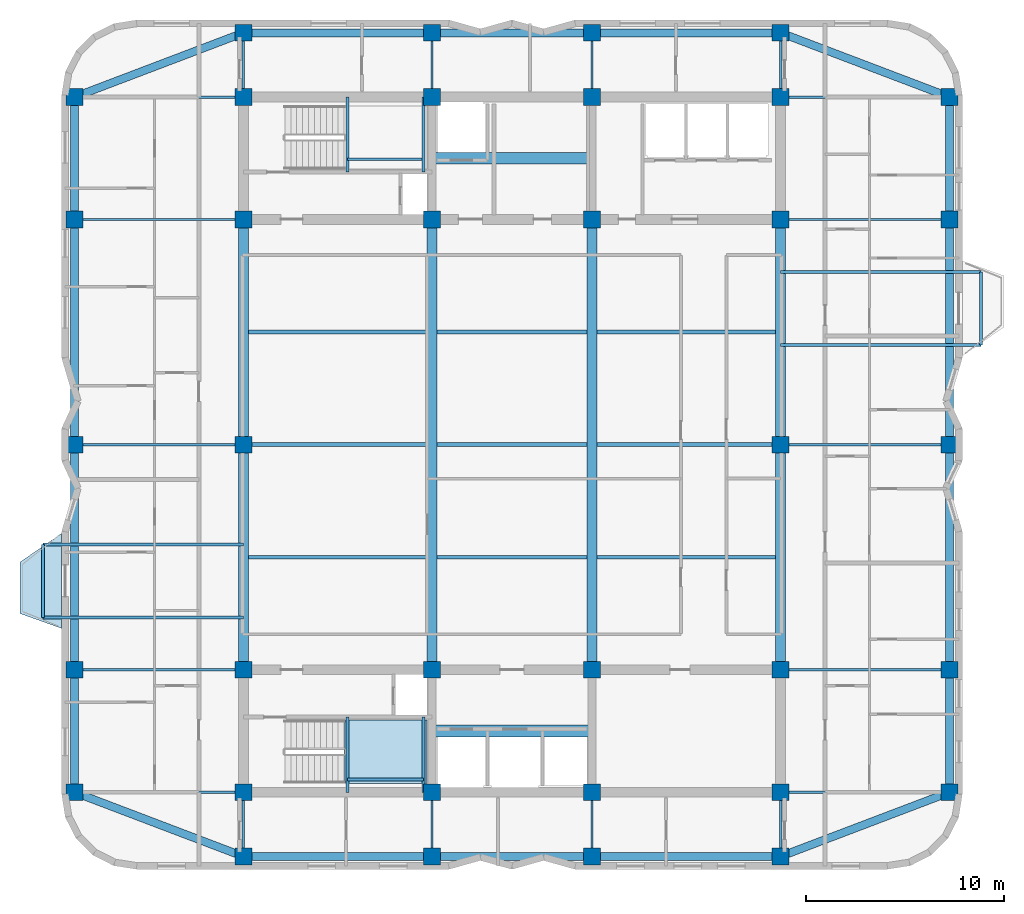
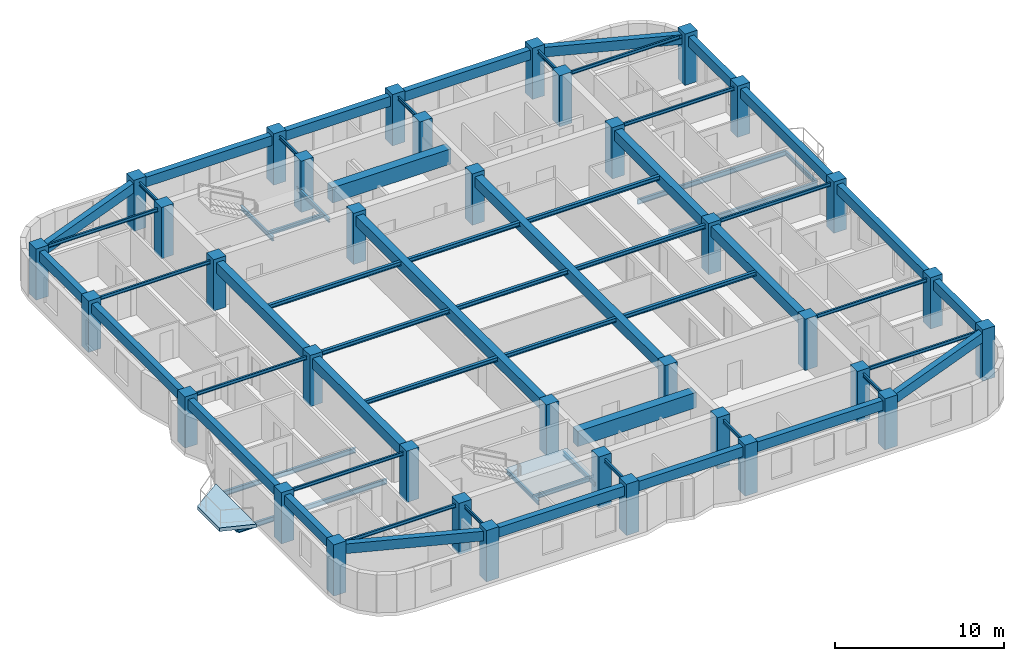
# One storey, part 1 of 9: 65 beams, 36 columns, 2 slabs, 1 element without a shape of its own.
"""IFC4 building model written with IfcOpenShell, lengths in metres."""

from ifc_helpers import new_model, si_unit, direction, frame, origin, origin_2d, place, context, subcontext, project, spatial, polyline, rectangle, i_section, outline, extrude, material, layer, layer_set, material_profile, profile_set, type_object, element, aggregate, save


model = new_model("IFC4")

# Units and contexts
model_context = context("Model", 3, precision=1e-05, world=origin(), true_north=direction((0.0, 1.0)))
body_context = subcontext(model_context, "Body", "Model", "MODEL_VIEW")
ifc_project = project(units=[si_unit("LENGTHUNIT", "METRE"), si_unit("AREAUNIT", "SQUARE_METRE"), si_unit("VOLUMEUNIT", "CUBIC_METRE"), si_unit("PLANEANGLEUNIT", "RADIAN"), si_unit("MASSUNIT", "GRAM", prefix="KILO")], contexts=[model_context])

# Site, building, storey
site_placement = place(None, origin())
site = spatial("IfcSite", under=ifc_project, at=site_placement, CompositionType="ELEMENT")
building_placement = place(site_placement, origin())
building = spatial("IfcBuilding", under=site, at=building_placement, Name="Svetorya Sky Lyceum", CompositionType="ELEMENT")
storey_placement = place(building_placement, frame((0.0, 0.0, 211.0)))
storey = spatial("IfcBuildingStorey", under=building, at=storey_placement, Name="L52", CompositionType="ELEMENT", Elevation=211.0)

# Columns
ifc_material_1 = material(Name="Concrete C50/60", Category="concrete")
ifc_material_profile_1 = material_profile(ifc_material_1, rectangle(XDim=0.85009765625, YDim=0.85009765625, at=origin_2d()), Name="RC COL 850x850")
ifc_profile_set_1 = profile_set([ifc_material_profile_1], Name="Concrete C50/60")
column_type = type_object("IfcColumnType", Name="COL-RC-850", PredefinedType="COLUMN", material=ifc_profile_set_1)
for number, where, z_axis, x_axis, name in (
    (1, (25.60009765625, 10.60009765625, 0.0), (0.0, 0.0, 1.0), (1.0, 0.0, 0.0), "L52 Core Column CS-11"),
    (2, (25.60009765625, 16.800048828125, 0.0), (0.0, 0.0, 1.0), (1.0, 0.0, 0.0), "L52 Core Column CS-12"),
    (3, (35.14990234375, 10.60009765625, 0.0), (0.0, 0.0, 1.0), (1.0, 0.0, 0.0), "L52 Core Column CS-21"),
    (4, (35.14990234375, 16.800048828125, 0.0), (0.0, 0.0, 1.0), (1.0, 0.0, 0.0), "L52 Core Column CS-22"),
    (5, (43.25, 10.60009765625, 0.0), (0.0, 0.0, 1.0), (1.0, 0.0, 0.0), "L52 Core Column CS-31"),
    (6, (43.25, 16.800048828125, 0.0), (0.0, 0.0, 1.0), (1.0, 0.0, 0.0), "L52 Core Column CS-32"),
    (7, (52.800048828125, 10.60009765625, 0.0), (0.0, 0.0, 1.0), (1.0, 0.0, 0.0), "L52 Core Column CS-41"),
    (8, (52.800048828125, 16.800048828125, 0.0), (0.0, 0.0, 1.0), (1.0, 0.0, 0.0), "L52 Core Column CS-42"),
    (9, (25.60009765625, 39.60009765625, 0.0), (0.0, 0.0, 1.0), (1.0, 0.0, 0.0), "L52 Core Column CN-11"),
    (10, (25.60009765625, 45.800048828125, 0.0), (0.0, 0.0, 1.0), (1.0, 0.0, 0.0), "L52 Core Column CN-12"),
    (11, (35.14990234375, 39.60009765625, 0.0), (0.0, 0.0, 1.0), (1.0, 0.0, 0.0), "L52 Core Column CN-21"),
    (12, (35.14990234375, 45.800048828125, 0.0), (0.0, 0.0, 1.0), (1.0, 0.0, 0.0), "L52 Core Column CN-22"),
    (13, (43.25, 39.60009765625, 0.0), (0.0, 0.0, 1.0), (1.0, 0.0, 0.0), "L52 Core Column CN-31"),
    (14, (43.25, 45.800048828125, 0.0), (0.0, 0.0, 1.0), (1.0, 0.0, 0.0), "L52 Core Column CN-32"),
    (15, (52.800048828125, 39.60009765625, 0.0), (0.0, 0.0, 1.0), (1.0, 0.0, 0.0), "L52 Core Column CN-41"),
    (16, (52.800048828125, 45.800048828125, 0.0), (0.0, 0.0, 1.0), (1.0, 0.0, 0.0), "L52 Core Column CN-42"),
    (17, (25.60009765625, 28.199951171875, 0.0), (0.0, 0.0, 1.0), (1.0, 0.0, 0.0), "L52 Core Column CM-W"),
    (18, (52.800048828125, 28.199951171875, 0.0), (0.0, 0.0, 1.0), (1.0, 0.0, 0.0), "L52 Core Column CM-E"),
    (19, (25.60009765625, 7.35009765625, 0.0), (0.0, 0.0, 1.0), (1.0, 0.0, 0.0), "L52 Perimeter Column S1"),
    (20, (25.60009765625, 49.050048828125, 0.0), (0.0, 0.0, 1.0), (1.0, 0.0, 0.0), "L52 Perimeter Column N1"),
    (21, (35.14990234375, 7.35009765625, 0.0), (0.0, 0.0, 1.0), (1.0, 0.0, 0.0), "L52 Perimeter Column S2"),
    (22, (35.14990234375, 49.050048828125, 0.0), (0.0, 0.0, 1.0), (1.0, 0.0, 0.0), "L52 Perimeter Column N2"),
    (23, (43.25, 7.35009765625, 0.0), (0.0, 0.0, 1.0), (1.0, 0.0, 0.0), "L52 Perimeter Column S3"),
    (24, (43.25, 49.050048828125, 0.0), (0.0, 0.0, 1.0), (1.0, 0.0, 0.0), "L52 Perimeter Column N3"),
    (25, (52.800048828125, 7.35009765625, 0.0), (0.0, 0.0, 1.0), (1.0, 0.0, 0.0), "L52 Perimeter Column S4"),
    (26, (52.800048828125, 49.050048828125, 0.0), (0.0, 0.0, 1.0), (1.0, 0.0, 0.0), "L52 Perimeter Column N4"),
    (27, (17.050048828125, 10.60009765625, 0.0), (0.0, 0.0, 1.0), (1.0, 0.0, 0.0), "L52 Perimeter Column W1"),
    (28, (61.35009765625, 10.60009765625, 0.0), (0.0, 0.0, 1.0), (1.0, 0.0, 0.0), "L52 Perimeter Column E1"),
    (29, (17.050048828125, 16.800048828125, 0.0), (0.0, 0.0, 1.0), (1.0, 0.0, 0.0), "L52 Perimeter Column W2"),
    (30, (61.35009765625, 16.800048828125, 0.0), (0.0, 0.0, 1.0), (1.0, 0.0, 0.0), "L52 Perimeter Column E2"),
    (31, (17.050048828125, 28.199951171875, 0.0), (0.0, 0.0, 1.0), (1.0, 0.0, 0.0), "L52 Perimeter Column W3"),
    (32, (61.35009765625, 28.199951171875, 0.0), (0.0, 0.0, 1.0), (1.0, 0.0, 0.0), "L52 Perimeter Column E3"),
    (33, (17.050048828125, 39.60009765625, 0.0), (0.0, 0.0, 1.0), (1.0, 0.0, 0.0), "L52 Perimeter Column W4"),
    (34, (61.35009765625, 39.60009765625, 0.0), (0.0, 0.0, 1.0), (1.0, 0.0, 0.0), "L52 Perimeter Column E4"),
    (35, (17.050048828125, 45.800048828125, 0.0), (0.0, 0.0, 1.0), (1.0, 0.0, 0.0), "L52 Perimeter Column W5"),
    (36, (61.35009765625, 45.800048828125, 0.0), (0.0, 0.0, 1.0), (1.0, 0.0, 0.0), "L52 Perimeter Column E5"),
):
    element("IfcColumn", number, at=place(storey_placement, frame(where, z_axis=z_axis, x_axis=x_axis)), inside=storey, type_object=column_type, Name=name, PredefinedType="COLUMN", context=body_context, shape_type="SweptSolid", body=[
        extrude(rectangle(XDim=0.85009765625, YDim=0.85009765625, at=origin_2d()), origin(), (0.0, 0.0, 1.0), 3.699951171875),
    ])

# Beams
ifc_material_2 = material(Name="Concrete C60/75", Category="concrete")
ifc_material_profile_2 = material_profile(ifc_material_2, rectangle(XDim=0.60009765625, YDim=1.10009765625, at=origin_2d()), Name="RC COUPLING 600x1100")
ifc_profile_set_2 = profile_set([ifc_material_profile_2], Name="Concrete C60/75")
beam_type_1 = type_object("IfcBeamType", Name="BM-CPL-1100", PredefinedType="LINTEL", material=ifc_profile_set_2)
for number, where, z_axis, x_axis, name in (
    (37, (35.14990234375, 13.699951171875, 2.889892578125), (1.0, 0.0, 0.0), (0.0, 1.0, 0.0), "L52 SC Core Coupling Beam"),
    (38, (35.14990234375, 42.699951171875, 2.889892578125), (1.0, 0.0, 0.0), (0.0, 1.0, 0.0), "L52 NC Core Coupling Beam"),
):
    element("IfcBeam", number, at=place(storey_placement, frame(where, z_axis=z_axis, x_axis=x_axis)), inside=storey, type_object=beam_type_1, Name=name, PredefinedType="LINTEL", context=body_context, shape_type="SweptSolid", body=[
        extrude(rectangle(XDim=0.60009765625, YDim=1.10009765625, at=origin_2d()), origin(), (0.0, 0.0, 1.0), 8.10009765625),
    ])
ifc_material_profile_3 = material_profile(ifc_material_1, rectangle(XDim=0.5, YDim=0.75, at=origin_2d()), Name="RC BEAM 500x750")
ifc_profile_set_3 = profile_set([ifc_material_profile_3], Name="Concrete C50/60")
beam_type_2 = type_object("IfcBeamType", Name="BM-RC-750", PredefinedType="BEAM", material=ifc_profile_set_3)
beam_1_placement = place(storey_placement, frame((25.60009765625, 16.800048828125, 3.06494140625), z_axis=(0.0, 1.0, 0.0), x_axis=(-1.0, 0.0, 0.0)))
element("IfcBeam", 39, at=beam_1_placement, inside=storey, type_object=beam_type_2, Name="L52 Central Bay Primary Girder CG-1A", PredefinedType="BEAM", context=body_context, shape_type="SweptSolid", body=[
    extrude(rectangle(XDim=0.5, YDim=0.75, at=origin_2d()), origin(), (0.0, 0.0, 1.0), 11.39990234375),
])
beam_2_placement = place(storey_placement, frame((25.60009765625, 28.199951171875, 3.06494140625), z_axis=(0.0, 1.0, 0.0), x_axis=(-1.0, 0.0, 0.0)))
element("IfcBeam", 40, at=beam_2_placement, inside=storey, type_object=beam_type_2, Name="L52 Central Bay Primary Girder CG-1B", PredefinedType="BEAM", context=body_context, shape_type="SweptSolid", body=[
    extrude(rectangle(XDim=0.5, YDim=0.75, at=origin_2d()), origin(), (0.0, 0.0, 1.0), 11.400146484375),
])
for number, where, z_axis, x_axis, name in (
    (41, (35.14990234375, 16.800048828125, 3.06494140625), (0.0, 1.0, 0.0), (-1.0, 0.0, 0.0), "L52 Central Bay Primary Girder CG-2"),
    (42, (43.25, 16.800048828125, 3.06494140625), (0.0, 1.0, 0.0), (-1.0, 0.0, 0.0), "L52 Central Bay Primary Girder CG-3"),
):
    element("IfcBeam", number, at=place(storey_placement, frame(where, z_axis=z_axis, x_axis=x_axis)), inside=storey, type_object=beam_type_2, Name=name, PredefinedType="BEAM", context=body_context, shape_type="SweptSolid", body=[
        extrude(rectangle(XDim=0.5, YDim=0.75, at=origin_2d()), origin(), (0.0, 0.0, 1.0), 22.800048828125),
    ])
beam_3_placement = place(storey_placement, frame((52.800048828125, 16.800048828125, 3.06494140625), z_axis=(0.0, 1.0, 0.0), x_axis=(-1.0, 0.0, 0.0)))
element("IfcBeam", 43, at=beam_3_placement, inside=storey, type_object=beam_type_2, Name="L52 Central Bay Primary Girder CG-4A", PredefinedType="BEAM", context=body_context, shape_type="SweptSolid", body=[
    extrude(rectangle(XDim=0.5, YDim=0.75, at=origin_2d()), origin(), (0.0, 0.0, 1.0), 11.39990234375),
])
beam_4_placement = place(storey_placement, frame((52.800048828125, 28.199951171875, 3.06494140625), z_axis=(0.0, 1.0, 0.0), x_axis=(-1.0, 0.0, 0.0)))
element("IfcBeam", 44, at=beam_4_placement, inside=storey, type_object=beam_type_2, Name="L52 Central Bay Primary Girder CG-4B", PredefinedType="BEAM", context=body_context, shape_type="SweptSolid", body=[
    extrude(rectangle(XDim=0.5, YDim=0.75, at=origin_2d()), origin(), (0.0, 0.0, 1.0), 11.400146484375),
])
ifc_material_profile_4 = material_profile(ifc_material_1, rectangle(XDim=0.39990234375, YDim=0.699951171875, at=origin_2d()), Name="RC SPANDREL 400x700")
ifc_profile_set_4 = profile_set([ifc_material_profile_4], Name="Concrete C50/60")
beam_type_3 = type_object("IfcBeamType", Name="BM-SPN-700", PredefinedType="SPANDREL", material=ifc_profile_set_4)
beam_5_placement = place(storey_placement, frame((25.60009765625, 7.35009765625, 3.090087890625), z_axis=(1.0, 0.0, 0.0), x_axis=(0.0, 1.0, 0.0)))
element("IfcBeam", 45, at=beam_5_placement, inside=storey, type_object=beam_type_3, Name="L52 South Spandrel 1", PredefinedType="SPANDREL", context=body_context, shape_type="SweptSolid", body=[
    extrude(rectangle(XDim=0.39990234375, YDim=0.699951171875, at=origin_2d()), origin(), (0.0, 0.0, 1.0), 9.5498046875),
])
beam_6_placement = place(storey_placement, frame((35.14990234375, 7.35009765625, 3.090087890625), z_axis=(1.0, 0.0, 0.0), x_axis=(0.0, 1.0, 0.0)))
element("IfcBeam", 46, at=beam_6_placement, inside=storey, type_object=beam_type_3, Name="L52 South Spandrel 2", PredefinedType="SPANDREL", context=body_context, shape_type="SweptSolid", body=[
    extrude(rectangle(XDim=0.39990234375, YDim=0.699951171875, at=origin_2d()), origin(), (0.0, 0.0, 1.0), 8.10009765625),
])
beam_7_placement = place(storey_placement, frame((43.25, 7.35009765625, 3.090087890625), z_axis=(1.0, 0.0, 0.0), x_axis=(0.0, 1.0, 0.0)))
element("IfcBeam", 47, at=beam_7_placement, inside=storey, type_object=beam_type_3, Name="L52 South Spandrel 3", PredefinedType="SPANDREL", context=body_context, shape_type="SweptSolid", body=[
    extrude(rectangle(XDim=0.39990234375, YDim=0.699951171875, at=origin_2d()), origin(), (0.0, 0.0, 1.0), 9.550048828125),
])
beam_8_placement = place(storey_placement, frame((25.60009765625, 49.050048828125, 3.090087890625), z_axis=(1.0, 0.0, 0.0), x_axis=(0.0, 1.0, 0.0)))
element("IfcBeam", 48, at=beam_8_placement, inside=storey, type_object=beam_type_3, Name="L52 North Spandrel 1", PredefinedType="SPANDREL", context=body_context, shape_type="SweptSolid", body=[
    extrude(rectangle(XDim=0.39990234375, YDim=0.699951171875, at=origin_2d()), origin(), (0.0, 0.0, 1.0), 9.5498046875),
])
beam_9_placement = place(storey_placement, frame((35.14990234375, 49.050048828125, 3.090087890625), z_axis=(1.0, 0.0, 0.0), x_axis=(0.0, 1.0, 0.0)))
element("IfcBeam", 49, at=beam_9_placement, inside=storey, type_object=beam_type_3, Name="L52 North Spandrel 2", PredefinedType="SPANDREL", context=body_context, shape_type="SweptSolid", body=[
    extrude(rectangle(XDim=0.39990234375, YDim=0.699951171875, at=origin_2d()), origin(), (0.0, 0.0, 1.0), 8.10009765625),
])
beam_10_placement = place(storey_placement, frame((43.25, 49.050048828125, 3.090087890625), z_axis=(1.0, 0.0, 0.0), x_axis=(0.0, 1.0, 0.0)))
element("IfcBeam", 50, at=beam_10_placement, inside=storey, type_object=beam_type_3, Name="L52 North Spandrel 3", PredefinedType="SPANDREL", context=body_context, shape_type="SweptSolid", body=[
    extrude(rectangle(XDim=0.39990234375, YDim=0.699951171875, at=origin_2d()), origin(), (0.0, 0.0, 1.0), 9.550048828125),
])
for number, where, z_axis, x_axis, name in (
    (51, (25.60009765625, 7.35009765625, 3.090087890625), (-0.934747947367, 0.355311518099, 0.0), (-0.355311518099, -0.934747947367, 0.0), "L52 Corner Spandrel 1"),
    (52, (52.800048828125, 7.35009765625, 3.090087890625), (0.934747947367, 0.355311518099, 0.0), (-0.355311518099, 0.934747947367, 0.0), "L52 Corner Spandrel 2"),
    (53, (61.35009765625, 45.800048828125, 3.090087890625), (-0.934747947367, 0.355311518099, 0.0), (-0.355311518099, -0.934747947367, 0.0), "L52 Corner Spandrel 3"),
    (54, (17.050048828125, 45.800048828125, 3.090087890625), (0.934747947367, 0.355311518099, 0.0), (-0.355311518099, 0.934747947367, 0.0), "L52 Corner Spandrel 4"),
):
    element("IfcBeam", number, at=place(storey_placement, frame(where, z_axis=z_axis, x_axis=x_axis)), inside=storey, type_object=beam_type_3, Name=name, PredefinedType="SPANDREL", context=body_context, shape_type="SweptSolid", body=[
        extrude(rectangle(XDim=0.39990234375, YDim=0.699951171875, at=origin_2d()), origin(), (0.0, 0.0, 1.0), 9.14697265625),
    ])
beam_11_placement = place(storey_placement, frame((17.050048828125, 10.60009765625, 3.090087890625), z_axis=(0.0, 1.0, 0.0), x_axis=(-1.0, 0.0, 0.0)))
element("IfcBeam", 55, at=beam_11_placement, inside=storey, type_object=beam_type_3, Name="L52 West Spandrel 1", PredefinedType="SPANDREL", context=body_context, shape_type="SweptSolid", body=[
    extrude(rectangle(XDim=0.39990234375, YDim=0.699951171875, at=origin_2d()), origin(), (0.0, 0.0, 1.0), 6.199951171875),
])
beam_12_placement = place(storey_placement, frame((17.050048828125, 16.800048828125, 3.090087890625), z_axis=(0.0, 1.0, 0.0), x_axis=(-1.0, 0.0, 0.0)))
element("IfcBeam", 56, at=beam_12_placement, inside=storey, type_object=beam_type_3, Name="L52 West Spandrel 2", PredefinedType="SPANDREL", context=body_context, shape_type="SweptSolid", body=[
    extrude(rectangle(XDim=0.39990234375, YDim=0.699951171875, at=origin_2d()), origin(), (0.0, 0.0, 1.0), 11.39990234375),
])
beam_13_placement = place(storey_placement, frame((17.050048828125, 28.199951171875, 3.090087890625), z_axis=(0.0, 1.0, 0.0), x_axis=(-1.0, 0.0, 0.0)))
element("IfcBeam", 57, at=beam_13_placement, inside=storey, type_object=beam_type_3, Name="L52 West Spandrel 3", PredefinedType="SPANDREL", context=body_context, shape_type="SweptSolid", body=[
    extrude(rectangle(XDim=0.39990234375, YDim=0.699951171875, at=origin_2d()), origin(), (0.0, 0.0, 1.0), 11.400146484375),
])
for number, where, z_axis, x_axis, name in (
    (58, (17.050048828125, 39.60009765625, 3.090087890625), (0.0, 1.0, 0.0), (-1.0, 0.0, 0.0), "L52 West Spandrel 4"),
    (59, (61.35009765625, 10.60009765625, 3.090087890625), (0.0, 1.0, 0.0), (-1.0, 0.0, 0.0), "L52 East Spandrel 1"),
):
    element("IfcBeam", number, at=place(storey_placement, frame(where, z_axis=z_axis, x_axis=x_axis)), inside=storey, type_object=beam_type_3, Name=name, PredefinedType="SPANDREL", context=body_context, shape_type="SweptSolid", body=[
        extrude(rectangle(XDim=0.39990234375, YDim=0.699951171875, at=origin_2d()), origin(), (0.0, 0.0, 1.0), 6.199951171875),
    ])
beam_14_placement = place(storey_placement, frame((61.35009765625, 16.800048828125, 3.090087890625), z_axis=(0.0, 1.0, 0.0), x_axis=(-1.0, 0.0, 0.0)))
element("IfcBeam", 60, at=beam_14_placement, inside=storey, type_object=beam_type_3, Name="L52 East Spandrel 2", PredefinedType="SPANDREL", context=body_context, shape_type="SweptSolid", body=[
    extrude(rectangle(XDim=0.39990234375, YDim=0.699951171875, at=origin_2d()), origin(), (0.0, 0.0, 1.0), 11.39990234375),
])
beam_15_placement = place(storey_placement, frame((61.35009765625, 28.199951171875, 3.090087890625), z_axis=(0.0, 1.0, 0.0), x_axis=(-1.0, 0.0, 0.0)))
element("IfcBeam", 61, at=beam_15_placement, inside=storey, type_object=beam_type_3, Name="L52 East Spandrel 3", PredefinedType="SPANDREL", context=body_context, shape_type="SweptSolid", body=[
    extrude(rectangle(XDim=0.39990234375, YDim=0.699951171875, at=origin_2d()), origin(), (0.0, 0.0, 1.0), 11.400146484375),
])
beam_16_placement = place(storey_placement, frame((61.35009765625, 39.60009765625, 3.090087890625), z_axis=(0.0, 1.0, 0.0), x_axis=(-1.0, 0.0, 0.0)))
element("IfcBeam", 62, at=beam_16_placement, inside=storey, type_object=beam_type_3, Name="L52 East Spandrel 4", PredefinedType="SPANDREL", context=body_context, shape_type="SweptSolid", body=[
    extrude(rectangle(XDim=0.39990234375, YDim=0.699951171875, at=origin_2d()), origin(), (0.0, 0.0, 1.0), 6.199951171875),
])
ifc_material_3 = material(Name="Steel S355", Category="steel")
ifc_material_profile_5 = material_profile(ifc_material_3, i_section(OverallWidth=0.1240234375, OverallDepth=0.248046875, WebThickness=0.006103515625, FlangeThickness=0.009521484375, at=origin_2d()), Name="GOST 25B2")
ifc_profile_set_5 = profile_set([ifc_material_profile_5], Name="Steel S355")
beam_type_4 = type_object("IfcBeamType", Name="BM-STL-25B2", PredefinedType="JOIST", material=ifc_profile_set_5)
for number, where, z_axis, x_axis, name in (
    (63, (17.050048828125, 10.60009765625, 3.31591796875), (1.0, 0.0, 0.0), (0.0, 1.0, 0.0), "L52 West Wing Floor Joist W1"),
    (64, (52.800048828125, 10.60009765625, 3.31591796875), (1.0, 0.0, 0.0), (0.0, 1.0, 0.0), "L52 East Wing Floor Joist E1"),
    (65, (17.050048828125, 16.800048828125, 3.31591796875), (1.0, 0.0, 0.0), (0.0, 1.0, 0.0), "L52 West Wing Floor Joist W2"),
    (66, (52.800048828125, 16.800048828125, 3.31591796875), (1.0, 0.0, 0.0), (0.0, 1.0, 0.0), "L52 East Wing Floor Joist E2"),
    (67, (17.050048828125, 28.199951171875, 3.31591796875), (1.0, 0.0, 0.0), (0.0, 1.0, 0.0), "L52 West Wing Floor Joist W3"),
    (68, (52.800048828125, 28.199951171875, 3.31591796875), (1.0, 0.0, 0.0), (0.0, 1.0, 0.0), "L52 East Wing Floor Joist E3"),
    (69, (17.050048828125, 39.60009765625, 3.31591796875), (1.0, 0.0, 0.0), (0.0, 1.0, 0.0), "L52 West Wing Floor Joist W4"),
    (70, (52.800048828125, 39.60009765625, 3.31591796875), (1.0, 0.0, 0.0), (0.0, 1.0, 0.0), "L52 East Wing Floor Joist E4"),
    (71, (17.050048828125, 45.800048828125, 3.31591796875), (1.0, 0.0, 0.0), (0.0, 1.0, 0.0), "L52 West Wing Floor Joist W5"),
    (72, (52.800048828125, 45.800048828125, 3.31591796875), (1.0, 0.0, 0.0), (0.0, 1.0, 0.0), "L52 East Wing Floor Joist E5"),
):
    element("IfcBeam", number, at=place(storey_placement, frame(where, z_axis=z_axis, x_axis=x_axis)), inside=storey, type_object=beam_type_4, Name=name, PredefinedType="JOIST", context=body_context, shape_type="SweptSolid", body=[
        extrude(i_section(OverallWidth=0.1240234375, OverallDepth=0.248046875, WebThickness=0.006103515625, FlangeThickness=0.009521484375, at=origin_2d()), origin(), (0.0, 0.0, 1.0), 8.550048828125),
    ])
for number, where, z_axis, x_axis, name in (
    (73, (25.60009765625, 7.35009765625, 3.31591796875), (0.0, 1.0, 0.0), (-1.0, 0.0, 0.0), "L52 South Bay Floor Girder S1"),
    (74, (25.60009765625, 45.800048828125, 3.31591796875), (0.0, 1.0, 0.0), (-1.0, 0.0, 0.0), "L52 North Bay Floor Girder N1"),
    (75, (35.14990234375, 7.35009765625, 3.31591796875), (0.0, 1.0, 0.0), (-1.0, 0.0, 0.0), "L52 South Bay Floor Girder S2"),
    (76, (35.14990234375, 45.800048828125, 3.31591796875), (0.0, 1.0, 0.0), (-1.0, 0.0, 0.0), "L52 North Bay Floor Girder N2"),
    (77, (43.25, 7.35009765625, 3.31591796875), (0.0, 1.0, 0.0), (-1.0, 0.0, 0.0), "L52 South Bay Floor Girder S3"),
    (78, (43.25, 45.800048828125, 3.31591796875), (0.0, 1.0, 0.0), (-1.0, 0.0, 0.0), "L52 North Bay Floor Girder N3"),
    (79, (52.800048828125, 7.35009765625, 3.31591796875), (0.0, 1.0, 0.0), (-1.0, 0.0, 0.0), "L52 South Bay Floor Girder S4"),
    (80, (52.800048828125, 45.800048828125, 3.31591796875), (0.0, 1.0, 0.0), (-1.0, 0.0, 0.0), "L52 North Bay Floor Girder N4"),
):
    element("IfcBeam", number, at=place(storey_placement, frame(where, z_axis=z_axis, x_axis=x_axis)), inside=storey, type_object=beam_type_4, Name=name, PredefinedType="JOIST", context=body_context, shape_type="SweptSolid", body=[
        extrude(i_section(OverallWidth=0.1240234375, OverallDepth=0.248046875, WebThickness=0.006103515625, FlangeThickness=0.009521484375, at=origin_2d()), origin(), (0.0, 0.0, 1.0), 3.25),
    ])
ifc_material_profile_6 = material_profile(ifc_material_3, i_section(OverallWidth=0.14990234375, OverallDepth=0.299072265625, WebThickness=0.006591796875, FlangeThickness=0.010498046875, at=origin_2d()), Name="GOST 30B2")
ifc_profile_set_6 = profile_set([ifc_material_profile_6], Name="Steel S355")
beam_type_5 = type_object("IfcBeamType", Name="BM-STL-30B2", PredefinedType="JOIST", material=ifc_profile_set_6)
for number, where, z_axis, x_axis, name in (
    (81, (15.449951171875, 19.449951171875, -0.4345703125), (0.0, 1.0, 0.0), (-1.0, 0.0, 0.0), "L52 Balcony Edge Tie BAL-W1"),
    (82, (62.949951171875, 33.25, -0.4345703125), (0.0, 1.0, 0.0), (-1.0, 0.0, 0.0), "L52 Balcony Edge Tie BAL-E1"),
):
    element("IfcBeam", number, at=place(storey_placement, frame(where, z_axis=z_axis, x_axis=x_axis)), inside=storey, type_object=beam_type_5, Name=name, PredefinedType="JOIST", context=body_context, shape_type="SweptSolid", body=[
        extrude(i_section(OverallWidth=0.14990234375, OverallDepth=0.299072265625, WebThickness=0.006591796875, FlangeThickness=0.010498046875, at=origin_2d()), origin(), (0.0, 0.0, 1.0), 3.699951171875),
    ])
for number, where, z_axis, x_axis, name in (
    (83, (30.8798828125, 10.60009765625, 1.50048828125), (0.0, 1.0, 0.0), (-1.0, 0.0, 0.0), "L52 Stair ST-S Half-Landing Support Beam 60.1"),
    (84, (34.719970703125, 10.60009765625, 1.50048828125), (0.0, 1.0, 0.0), (-1.0, 0.0, 0.0), "L52 Stair ST-S Half-Landing Support Beam 60.2"),
):
    element("IfcBeam", number, at=place(storey_placement, frame(where, z_axis=z_axis, x_axis=x_axis)), inside=storey, type_object=beam_type_5, Name=name, PredefinedType="JOIST", context=body_context, shape_type="SweptSolid", body=[
        extrude(i_section(OverallWidth=0.14990234375, OverallDepth=0.299072265625, WebThickness=0.006591796875, FlangeThickness=0.010498046875, at=origin_2d()), origin(), (0.0, 0.0, 1.0), 3.7998046875),
    ])
beam_17_placement = place(storey_placement, frame((30.8798828125, 11.25, 1.50048828125), z_axis=(1.0, 0.0, 0.0), x_axis=(0.0, 1.0, 0.0)))
element("IfcBeam", 85, at=beam_17_placement, inside=storey, type_object=beam_type_5, Name="L52 Stair ST-S Half-Landing Cross Tie 60", PredefinedType="JOIST", context=body_context, shape_type="SweptSolid", body=[
    extrude(i_section(OverallWidth=0.14990234375, OverallDepth=0.299072265625, WebThickness=0.006591796875, FlangeThickness=0.010498046875, at=origin_2d()), origin(), (0.0, 0.0, 1.0), 3.840087890625),
])
for number, where, z_axis, x_axis, name in (
    (86, (30.8798828125, 42.0, 1.50048828125), (0.0, 1.0, 0.0), (-1.0, 0.0, 0.0), "L52 Stair ST-N Half-Landing Support Beam 60.1"),
    (87, (34.719970703125, 42.0, 1.50048828125), (0.0, 1.0, 0.0), (-1.0, 0.0, 0.0), "L52 Stair ST-N Half-Landing Support Beam 60.2"),
):
    element("IfcBeam", number, at=place(storey_placement, frame(where, z_axis=z_axis, x_axis=x_axis)), inside=storey, type_object=beam_type_5, Name=name, PredefinedType="JOIST", context=body_context, shape_type="SweptSolid", body=[
        extrude(i_section(OverallWidth=0.14990234375, OverallDepth=0.299072265625, WebThickness=0.006591796875, FlangeThickness=0.010498046875, at=origin_2d()), origin(), (0.0, 0.0, 1.0), 3.800048828125),
    ])
beam_18_placement = place(storey_placement, frame((30.8798828125, 42.64990234375, 1.50048828125), z_axis=(1.0, 0.0, 0.0), x_axis=(0.0, 1.0, 0.0)))
element("IfcBeam", 88, at=beam_18_placement, inside=storey, type_object=beam_type_5, Name="L52 Stair ST-N Half-Landing Cross Tie 60", PredefinedType="JOIST", context=body_context, shape_type="SweptSolid", body=[
    extrude(i_section(OverallWidth=0.14990234375, OverallDepth=0.299072265625, WebThickness=0.006591796875, FlangeThickness=0.010498046875, at=origin_2d()), origin(), (0.0, 0.0, 1.0), 3.840087890625),
])
ifc_material_profile_7 = material_profile(ifc_material_3, i_section(OverallWidth=0.199951171875, OverallDepth=0.298095703125, WebThickness=0.008544921875, FlangeThickness=0.012939453125, at=origin_2d()), Name="GOST 30Sh2")
ifc_profile_set_7 = profile_set([ifc_material_profile_7], Name="Steel S355")
beam_type_6 = type_object("IfcBeamType", Name="BM-STL-30SH2", PredefinedType="BEAM", material=ifc_profile_set_7)
beam_19_placement = place(storey_placement, frame((25.85009765625, 22.5, 3.291015625), z_axis=(1.0, 0.0, 0.0), x_axis=(0.0, 1.0, 0.0)))
element("IfcBeam", 89, at=beam_19_placement, inside=storey, type_object=beam_type_6, Name="L52 Central Floor Joist CJ-1.1", PredefinedType="BEAM", context=body_context, shape_type="SweptSolid", body=[
    extrude(i_section(OverallWidth=0.199951171875, OverallDepth=0.298095703125, WebThickness=0.008544921875, FlangeThickness=0.012939453125, at=origin_2d()), origin(), (0.0, 0.0, 1.0), 9.0498046875),
])
beam_20_placement = place(storey_placement, frame((35.39990234375, 22.5, 3.291015625), z_axis=(1.0, 0.0, 0.0), x_axis=(0.0, 1.0, 0.0)))
element("IfcBeam", 90, at=beam_20_placement, inside=storey, type_object=beam_type_6, Name="L52 Central Floor Joist CJ-1.2", PredefinedType="BEAM", context=body_context, shape_type="SweptSolid", body=[
    extrude(i_section(OverallWidth=0.199951171875, OverallDepth=0.298095703125, WebThickness=0.008544921875, FlangeThickness=0.012939453125, at=origin_2d()), origin(), (0.0, 0.0, 1.0), 7.60009765625),
])
beam_21_placement = place(storey_placement, frame((43.5, 22.5, 3.291015625), z_axis=(1.0, 0.0, 0.0), x_axis=(0.0, 1.0, 0.0)))
element("IfcBeam", 91, at=beam_21_placement, inside=storey, type_object=beam_type_6, Name="L52 Central Floor Joist CJ-1.3", PredefinedType="BEAM", context=body_context, shape_type="SweptSolid", body=[
    extrude(i_section(OverallWidth=0.199951171875, OverallDepth=0.298095703125, WebThickness=0.008544921875, FlangeThickness=0.012939453125, at=origin_2d()), origin(), (0.0, 0.0, 1.0), 9.050048828125),
])
beam_22_placement = place(storey_placement, frame((25.85009765625, 28.199951171875, 3.291015625), z_axis=(1.0, 0.0, 0.0), x_axis=(0.0, 1.0, 0.0)))
element("IfcBeam", 92, at=beam_22_placement, inside=storey, type_object=beam_type_6, Name="L52 Central Floor Joist CJ-2.1", PredefinedType="BEAM", context=body_context, shape_type="SweptSolid", body=[
    extrude(i_section(OverallWidth=0.199951171875, OverallDepth=0.298095703125, WebThickness=0.008544921875, FlangeThickness=0.012939453125, at=origin_2d()), origin(), (0.0, 0.0, 1.0), 9.0498046875),
])
beam_23_placement = place(storey_placement, frame((35.39990234375, 28.199951171875, 3.291015625), z_axis=(1.0, 0.0, 0.0), x_axis=(0.0, 1.0, 0.0)))
element("IfcBeam", 93, at=beam_23_placement, inside=storey, type_object=beam_type_6, Name="L52 Central Floor Joist CJ-2.2", PredefinedType="BEAM", context=body_context, shape_type="SweptSolid", body=[
    extrude(i_section(OverallWidth=0.199951171875, OverallDepth=0.298095703125, WebThickness=0.008544921875, FlangeThickness=0.012939453125, at=origin_2d()), origin(), (0.0, 0.0, 1.0), 7.60009765625),
])
beam_24_placement = place(storey_placement, frame((43.5, 28.199951171875, 3.291015625), z_axis=(1.0, 0.0, 0.0), x_axis=(0.0, 1.0, 0.0)))
element("IfcBeam", 94, at=beam_24_placement, inside=storey, type_object=beam_type_6, Name="L52 Central Floor Joist CJ-2.3", PredefinedType="BEAM", context=body_context, shape_type="SweptSolid", body=[
    extrude(i_section(OverallWidth=0.199951171875, OverallDepth=0.298095703125, WebThickness=0.008544921875, FlangeThickness=0.012939453125, at=origin_2d()), origin(), (0.0, 0.0, 1.0), 9.050048828125),
])
beam_25_placement = place(storey_placement, frame((25.85009765625, 33.89990234375, 3.291015625), z_axis=(1.0, 0.0, 0.0), x_axis=(0.0, 1.0, 0.0)))
element("IfcBeam", 95, at=beam_25_placement, inside=storey, type_object=beam_type_6, Name="L52 Central Floor Joist CJ-3.1", PredefinedType="BEAM", context=body_context, shape_type="SweptSolid", body=[
    extrude(i_section(OverallWidth=0.199951171875, OverallDepth=0.298095703125, WebThickness=0.008544921875, FlangeThickness=0.012939453125, at=origin_2d()), origin(), (0.0, 0.0, 1.0), 9.0498046875),
])
beam_26_placement = place(storey_placement, frame((35.39990234375, 33.89990234375, 3.291015625), z_axis=(1.0, 0.0, 0.0), x_axis=(0.0, 1.0, 0.0)))
element("IfcBeam", 96, at=beam_26_placement, inside=storey, type_object=beam_type_6, Name="L52 Central Floor Joist CJ-3.2", PredefinedType="BEAM", context=body_context, shape_type="SweptSolid", body=[
    extrude(i_section(OverallWidth=0.199951171875, OverallDepth=0.298095703125, WebThickness=0.008544921875, FlangeThickness=0.012939453125, at=origin_2d()), origin(), (0.0, 0.0, 1.0), 7.60009765625),
])
beam_27_placement = place(storey_placement, frame((43.5, 33.89990234375, 3.291015625), z_axis=(1.0, 0.0, 0.0), x_axis=(0.0, 1.0, 0.0)))
element("IfcBeam", 97, at=beam_27_placement, inside=storey, type_object=beam_type_6, Name="L52 Central Floor Joist CJ-3.3", PredefinedType="BEAM", context=body_context, shape_type="SweptSolid", body=[
    extrude(i_section(OverallWidth=0.199951171875, OverallDepth=0.298095703125, WebThickness=0.008544921875, FlangeThickness=0.012939453125, at=origin_2d()), origin(), (0.0, 0.0, 1.0), 9.050048828125),
])
ifc_material_profile_8 = material_profile(ifc_material_3, i_section(OverallWidth=0.155029296875, OverallDepth=0.34912109375, WebThickness=0.007080078125, FlangeThickness=0.011474609375, at=origin_2d()), Name="GOST 35B2")
ifc_profile_set_8 = profile_set([ifc_material_profile_8], Name="Steel S355")
beam_type_7 = type_object("IfcBeamType", Name="BM-STL-35B2", PredefinedType="JOIST", material=ifc_profile_set_8)
for number, where, z_axis, x_axis, name in (
    (98, (25.60009765625, 19.449951171875, -0.4345703125), (-1.0, 0.0, 0.0), (0.0, -1.0, 0.0), "L52 Balcony Cantilever Beam BAL-W1-1"),
    (99, (25.60009765625, 23.14990234375, -0.4345703125), (-1.0, 0.0, 0.0), (0.0, -1.0, 0.0), "L52 Balcony Cantilever Beam BAL-W1-2"),
):
    element("IfcBeam", number, at=place(storey_placement, frame(where, z_axis=z_axis, x_axis=x_axis)), inside=storey, type_object=beam_type_7, Name=name, PredefinedType="JOIST", context=body_context, shape_type="SweptSolid", body=[
        extrude(i_section(OverallWidth=0.155029296875, OverallDepth=0.34912109375, WebThickness=0.007080078125, FlangeThickness=0.011474609375, at=origin_2d()), origin(), (0.0, 0.0, 1.0), 10.150146484375),
    ])
for number, where, z_axis, x_axis, name in (
    (100, (52.800048828125, 33.25, -0.4345703125), (1.0, 0.0, 0.0), (0.0, 1.0, 0.0), "L52 Balcony Cantilever Beam BAL-E1-1"),
    (101, (52.800048828125, 36.949951171875, -0.4345703125), (1.0, 0.0, 0.0), (0.0, 1.0, 0.0), "L52 Balcony Cantilever Beam BAL-E1-2"),
):
    element("IfcBeam", number, at=place(storey_placement, frame(where, z_axis=z_axis, x_axis=x_axis)), inside=storey, type_object=beam_type_7, Name=name, PredefinedType="JOIST", context=body_context, shape_type="SweptSolid", body=[
        extrude(i_section(OverallWidth=0.155029296875, OverallDepth=0.34912109375, WebThickness=0.007080078125, FlangeThickness=0.011474609375, at=origin_2d()), origin(), (0.0, 0.0, 1.0), 10.14990234375),
    ])

# Slab
ifc_material_4 = material(Name="Concrete C40/50", Category="concrete")
ifc_layer_1 = layer(ifc_material_4, 0.260009765625)
ifc_layer_set_1 = layer_set([ifc_layer_1], Name="Concrete C40/50")
slab_type_1 = type_object("IfcSlabType", Name="SL-BAL-260", PredefinedType="FLOOR", material=ifc_layer_set_1)
slab_1_placement = place(storey_placement, frame((0.0, 0.0, -0.260009765625)))
element("IfcSlab", 102, at=slab_1_placement, inside=storey, type_object=slab_type_1, Name="L52 Chamfered Loggia Balcony BAL-W1", PredefinedType="FLOOR", context=body_context, shape_type="SweptSolid", body=[
    extrude(outline(polyline([(16.389892578125, 18.89990234375), (16.389892578125, 23.699951171875), (14.2900390625, 22.25), (14.2900390625, 19.64990234375), (16.389892578125, 18.89990234375)])), origin(), (0.0, 0.0, 1.0), 0.260009765625),
])

# Stair, slab
stair_type = type_object("IfcStairType", Name="STR-ST-S", PredefinedType="HALF_TURN_STAIR", material=ifc_material_4)
stair_placement = place(storey_placement, origin())
stair = element("IfcStair", 103, at=stair_placement, inside=storey, type_object=stair_type, Name="L52 South Core Smoke-Free Exit Stair N2", PredefinedType="HALF_TURN_STAIR")
ifc_layer_2 = layer(ifc_material_4, 0.199951171875)
ifc_layer_set_2 = layer_set([ifc_layer_2], Name="Concrete C40/50")
slab_type_2 = type_object("IfcSlabType", Name="SL-STR-LAND-200", PredefinedType="LANDING", material=ifc_layer_set_2)
slab_2_placement = place(storey_placement, frame((0.0, 0.0, 1.64990234375)))
slab_2 = element("IfcSlab", 104, at=slab_2_placement, type_object=slab_type_2, Name="ST-S landing 1", PredefinedType="LANDING", context=body_context, shape_type="SweptSolid", body=[
    extrude(outline(polyline([(30.699951171875, 11.050048828125), (34.89990234375, 11.050048828125), (34.89990234375, 14.25), (30.699951171875, 14.25), (30.699951171875, 11.050048828125)])), origin(), (0.0, 0.0, 1.0), 0.2001953125),
])
aggregate(stair, [slab_2])

save(model, "model.ifc")
